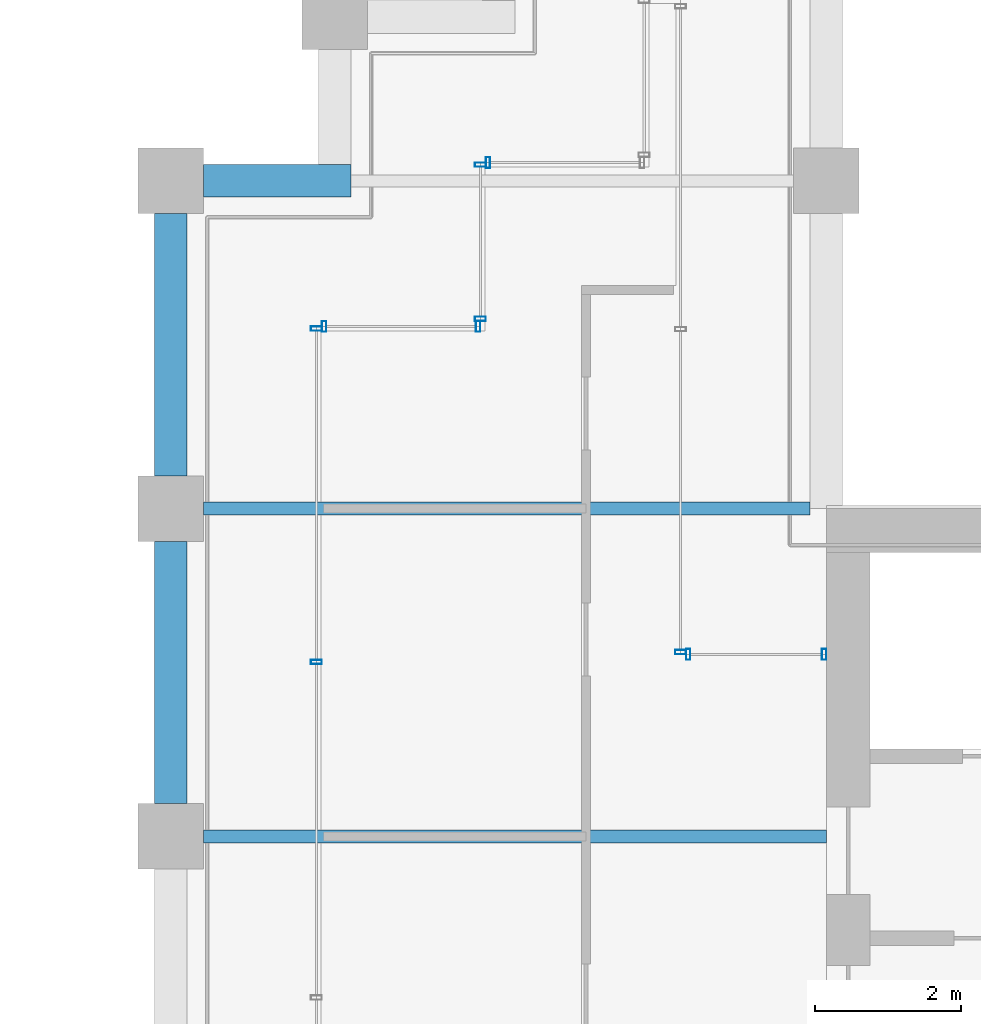
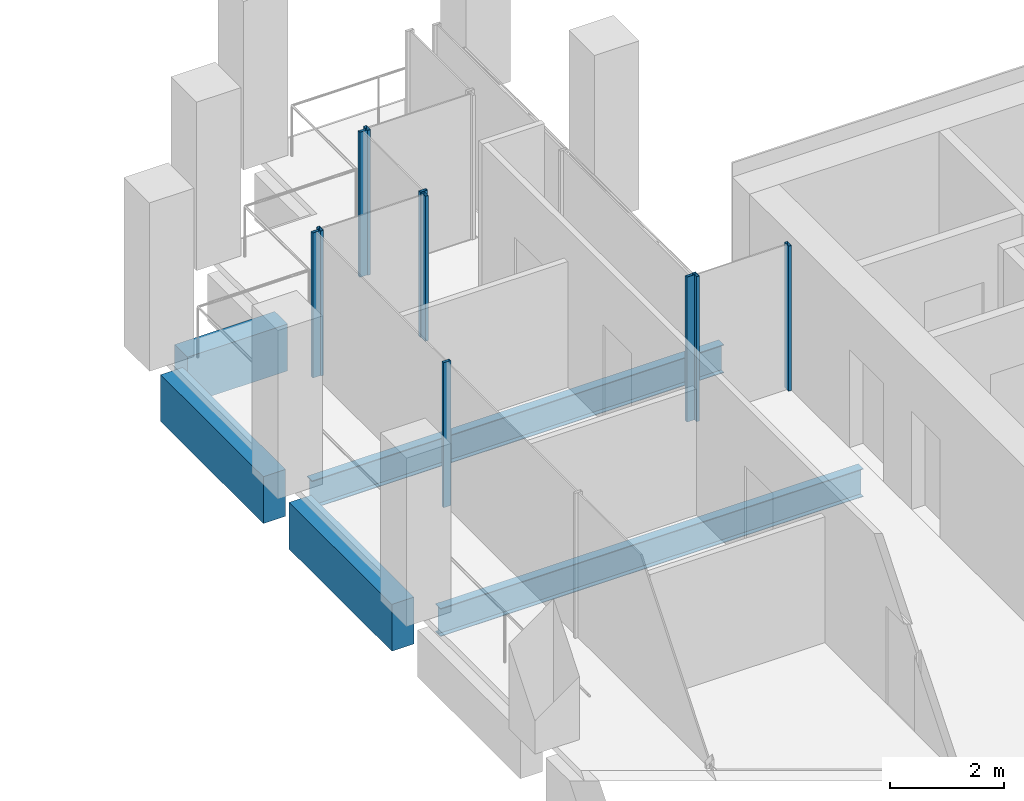
# One storey, part 32 of 40: 10 members, 5 beams, 6 elements without a shape of their own.
"""IFC4 building model written with IfcOpenShell, lengths in metres."""

from ifc_helpers import new_model, si_unit, direction, frame, origin, origin_2d, place, context, subcontext, project, spatial, rectangle, hollow_rectangle, i_section, extrude, material, material_profile, profile_set, type_object, element, aggregate, save


model = new_model("IFC4")

# Units and contexts
model_context = context("Model", 3, precision=1e-05, world=origin(), true_north=direction((0.0, 1.0)))
body_context = subcontext(model_context, "Body", "Model", "MODEL_VIEW")
ifc_project = project(units=[si_unit("LENGTHUNIT", "METRE"), si_unit("AREAUNIT", "SQUARE_METRE"), si_unit("VOLUMEUNIT", "CUBIC_METRE"), si_unit("PLANEANGLEUNIT", "RADIAN"), si_unit("MASSUNIT", "GRAM", prefix="KILO")], contexts=[model_context])

# Site, building, storey
site_placement = place(None, origin())
site = spatial("IfcSite", under=ifc_project, at=site_placement, CompositionType="ELEMENT")
building_placement = place(site_placement, origin())
building = spatial("IfcBuilding", under=site, at=building_placement, Name="Altepetl Exchange Towers", CompositionType="ELEMENT")
storey_placement = place(building_placement, frame((0.0, 0.0, 187.0)))
storey = spatial("IfcBuildingStorey", under=building, at=storey_placement, Name="L47", CompositionType="ELEMENT", Elevation=187.0)

# Beams
ifc_material_1 = material(Name="Steel S355", Category="steel")
ifc_material_profile_1 = material_profile(ifc_material_1, i_section(OverallWidth=0.177978515625, OverallDepth=0.59912109375, WebThickness=0.010009765625, FlangeThickness=0.0126953125, at=origin_2d()), Name="W24X55")
ifc_profile_set_1 = profile_set([ifc_material_profile_1], Name="Steel S355")
beam_type_1 = type_object("IfcBeamType", Name="Floor beam W24X55", PredefinedType="BEAM", material=ifc_profile_set_1)
beam_1_placement = place(storey_placement, frame((94.949951171875, 45.0, -0.449462890625), z_axis=(1.0, 0.0, 0.0), x_axis=(0.0, 1.0, 0.0)))
element("IfcBeam", 1, at=beam_1_placement, inside=storey, type_object=beam_type_1, Name="bm:B:L47:005", PredefinedType="BEAM", context=body_context, shape_type="SweptSolid", body=[
    extrude(i_section(OverallWidth=0.177978515625, OverallDepth=0.59912109375, WebThickness=0.010009765625, FlangeThickness=0.0126953125, at=origin_2d()), origin(), (0.0, 0.0, 1.0), 8.550048828125),
])
beam_2_placement = place(storey_placement, frame((94.949951171875, 49.5, -0.449462890625), z_axis=(1.0, 0.0, 0.0), x_axis=(0.0, 1.0, 0.0)))
element("IfcBeam", 2, at=beam_2_placement, inside=storey, type_object=beam_type_1, Name="bm:B:L47:006", PredefinedType="BEAM", context=body_context, shape_type="SweptSolid", body=[
    extrude(i_section(OverallWidth=0.177978515625, OverallDepth=0.59912109375, WebThickness=0.010009765625, FlangeThickness=0.0126953125, at=origin_2d()), origin(), (0.0, 0.0, 1.0), 8.324951171875),
])

# Curtain wall, members
ifc_material_2 = material(Name="Aluminium 6063-T6 glazing", Category="aluminium")
curtain_wall_type = type_object("IfcCurtainWallType", Name="Loggia glazing system", PredefinedType="NOTDEFINED", material=ifc_material_2)
curtain_wall_1_placement = place(storey_placement, origin())
curtain_wall_1 = element("IfcCurtainWall", 3, at=curtain_wall_1_placement, inside=storey, type_object=curtain_wall_type, Name="CW1 run", PredefinedType="NOTDEFINED")
ifc_material_3 = material(Name="Aluminium 6063-T6", Category="aluminium")
ifc_material_profile_2 = material_profile(ifc_material_3, hollow_rectangle(XDim=0.06005859375, YDim=0.14990234375, WallThickness=0.0029296875, at=origin_2d()), Name="Mullion 60x150 aluminium")
ifc_profile_set_2 = profile_set([ifc_material_profile_2], Name="Aluminium 6063-T6")
member_type = type_object("IfcMemberType", Name="Mullion 60x150 aluminium", PredefinedType="MULLION", material=ifc_profile_set_2)
member_1_placement = place(storey_placement, frame((103.469970703125, 47.5, 0.0), z_axis=(0.0, 0.0, 1.0), x_axis=(-1.0, 0.0, 0.0)))
member_1 = element("IfcMember", 4, at=member_1_placement, type_object=member_type, Name="MU1 mullion", PredefinedType="MULLION", context=body_context, shape_type="SweptSolid", body=[
    extrude(hollow_rectangle(XDim=0.06005859375, YDim=0.14990234375, WallThickness=0.0029296875, at=origin_2d()), origin(), (0.0, 0.0, 1.0), 3.10009765625),
])
member_2_placement = place(storey_placement, frame((101.60498046875, 47.5, 0.0), z_axis=(0.0, 0.0, 1.0), x_axis=(-1.0, 0.0, 0.0)))
member_2 = element("IfcMember", 5, at=member_2_placement, type_object=member_type, Name="MU1 mullion", PredefinedType="MULLION", context=body_context, shape_type="SweptSolid", body=[
    extrude(hollow_rectangle(XDim=0.06005859375, YDim=0.14990234375, WallThickness=0.0029296875, at=origin_2d()), origin(), (0.0, 0.0, 1.0), 3.10009765625),
])
aggregate(curtain_wall_1, [member_1, member_2])

# Curtain wall, member
curtain_wall_2_placement = place(storey_placement, origin())
curtain_wall_2 = element("IfcCurtainWall", 6, at=curtain_wall_2_placement, inside=storey, type_object=curtain_wall_type, Name="CW1 run", PredefinedType="NOTDEFINED")
member_3_placement = place(storey_placement, frame((101.5, 47.530029296875, 0.0), z_axis=(0.0, 0.0, 1.0), x_axis=(0.0, 1.0, 0.0)))
member_3 = element("IfcMember", 7, at=member_3_placement, type_object=member_type, Name="MU1 mullion", PredefinedType="MULLION", context=body_context, shape_type="SweptSolid", body=[
    extrude(hollow_rectangle(XDim=0.06005859375, YDim=0.14990234375, WallThickness=0.0029296875, at=origin_2d()), origin(), (0.0, 0.0, 1.0), 3.10009765625),
])
aggregate(curtain_wall_2, [member_3])

curtain_wall_3_placement = place(storey_placement, origin())
curtain_wall_3 = element("IfcCurtainWall", 8, at=curtain_wall_3_placement, inside=storey, type_object=curtain_wall_type, Name="CW1 run", PredefinedType="NOTDEFINED")
member_4_placement = place(storey_placement, frame((98.85498046875, 54.25, 0.0), z_axis=(0.0, 0.0, 1.0), x_axis=(-1.0, 0.0, 0.0)))
member_4 = element("IfcMember", 9, at=member_4_placement, type_object=member_type, Name="MU1 mullion", PredefinedType="MULLION", context=body_context, shape_type="SweptSolid", body=[
    extrude(hollow_rectangle(XDim=0.06005859375, YDim=0.14990234375, WallThickness=0.0029296875, at=origin_2d()), origin(), (0.0, 0.0, 1.0), 3.10009765625),
])
aggregate(curtain_wall_3, [member_4])

# Curtain wall, members
curtain_wall_4_placement = place(storey_placement, origin())
curtain_wall_4 = element("IfcCurtainWall", 10, at=curtain_wall_4_placement, inside=storey, type_object=curtain_wall_type, Name="CW1 run", PredefinedType="NOTDEFINED")
member_5_placement = place(storey_placement, frame((98.75, 54.219970703125, 0.0), z_axis=(0.0, 0.0, 1.0), x_axis=(0.0, -1.0, 0.0)))
member_5 = element("IfcMember", 11, at=member_5_placement, type_object=member_type, Name="MU1 mullion", PredefinedType="MULLION", context=body_context, shape_type="SweptSolid", body=[
    extrude(hollow_rectangle(XDim=0.06005859375, YDim=0.14990234375, WallThickness=0.0029296875, at=origin_2d()), origin(), (0.0, 0.0, 1.0), 3.10009765625),
])
member_6_placement = place(storey_placement, frame((98.75, 52.10498046875, 0.0), z_axis=(0.0, 0.0, 1.0), x_axis=(0.0, -1.0, 0.0)))
member_6 = element("IfcMember", 12, at=member_6_placement, type_object=member_type, Name="MU1 mullion", PredefinedType="MULLION", context=body_context, shape_type="SweptSolid", body=[
    extrude(hollow_rectangle(XDim=0.06005859375, YDim=0.14990234375, WallThickness=0.0029296875, at=origin_2d()), origin(), (0.0, 0.0, 1.0), 3.10009765625),
])
aggregate(curtain_wall_4, [member_5, member_6])

curtain_wall_5_placement = place(storey_placement, origin())
curtain_wall_5 = element("IfcCurtainWall", 13, at=curtain_wall_5_placement, inside=storey, type_object=curtain_wall_type, Name="CW1 run", PredefinedType="NOTDEFINED")
member_7_placement = place(storey_placement, frame((98.719970703125, 52.0, 0.0), z_axis=(0.0, 0.0, 1.0), x_axis=(-1.0, 0.0, 0.0)))
member_7 = element("IfcMember", 14, at=member_7_placement, type_object=member_type, Name="MU1 mullion", PredefinedType="MULLION", context=body_context, shape_type="SweptSolid", body=[
    extrude(hollow_rectangle(XDim=0.06005859375, YDim=0.14990234375, WallThickness=0.0029296875, at=origin_2d()), origin(), (0.0, 0.0, 1.0), 3.10009765625),
])
member_8_placement = place(storey_placement, frame((96.60498046875, 52.0, 0.0), z_axis=(0.0, 0.0, 1.0), x_axis=(-1.0, 0.0, 0.0)))
member_8 = element("IfcMember", 15, at=member_8_placement, type_object=member_type, Name="MU1 mullion", PredefinedType="MULLION", context=body_context, shape_type="SweptSolid", body=[
    extrude(hollow_rectangle(XDim=0.06005859375, YDim=0.14990234375, WallThickness=0.0029296875, at=origin_2d()), origin(), (0.0, 0.0, 1.0), 3.10009765625),
])
aggregate(curtain_wall_5, [member_7, member_8])

curtain_wall_6_placement = place(storey_placement, origin())
curtain_wall_6 = element("IfcCurtainWall", 16, at=curtain_wall_6_placement, inside=storey, type_object=curtain_wall_type, Name="CW1 run", PredefinedType="NOTDEFINED")
member_9_placement = place(storey_placement, frame((96.5, 51.969970703125, 0.0), z_axis=(0.0, 0.0, 1.0), x_axis=(0.0, -1.0, 0.0)))
member_9 = element("IfcMember", 17, at=member_9_placement, type_object=member_type, Name="MU1 mullion", PredefinedType="MULLION", context=body_context, shape_type="SweptSolid", body=[
    extrude(hollow_rectangle(XDim=0.06005859375, YDim=0.14990234375, WallThickness=0.0029296875, at=origin_2d()), origin(), (0.0, 0.0, 1.0), 3.10009765625),
])
member_10_placement = place(storey_placement, frame((96.5, 47.393798828125, 0.0), z_axis=(0.0, 0.0, 1.0), x_axis=(0.0, -1.0, 0.0)))
member_10 = element("IfcMember", 18, at=member_10_placement, type_object=member_type, Name="MU1 mullion", PredefinedType="MULLION", context=body_context, shape_type="SweptSolid", body=[
    extrude(hollow_rectangle(XDim=0.06005859375, YDim=0.14990234375, WallThickness=0.0029296875, at=origin_2d()), origin(), (0.0, 0.0, 1.0), 3.10009765625),
])
aggregate(curtain_wall_6, [member_9, member_10])

# Beams
ifc_material_4 = material(Name="Concrete C50/60 precast with cantera rosa facing", Category="concrete")
ifc_material_profile_3 = material_profile(ifc_material_4, rectangle(XDim=0.449951171875, YDim=1.0, at=origin_2d()), Name="450 x 1000")
ifc_profile_set_3 = profile_set([ifc_material_profile_3], Name="Concrete C50/60 precast with cantera rosa facing")
beam_type_2 = type_object("IfcBeamType", Name="Spandrel beam 450x1000 cantera rosa", PredefinedType="SPANDREL", material=ifc_profile_set_3)
beam_3_placement = place(storey_placement, frame((96.97509765625, 54.0, -0.64990234375), z_axis=(-1.0, 0.0, 0.0), x_axis=(0.0, -1.0, 0.0)))
element("IfcBeam", 19, at=beam_3_placement, inside=storey, type_object=beam_type_2, Name="sp:B:L47:014", PredefinedType="SPANDREL", context=body_context, shape_type="SweptSolid", body=[
    extrude(rectangle(XDim=0.449951171875, YDim=1.0, at=origin_2d()), origin(), (0.0, 0.0, 1.0), 2.025146484375),
])
for number, where, z_axis, x_axis, name in (
    (20, (94.5, 53.550048828125, -0.64990234375), (0.0, -1.0, 0.0), (1.0, 0.0, 0.0), "sp:B:L47:015"),
    (21, (94.5, 49.050048828125, -0.64990234375), (0.0, -1.0, 0.0), (1.0, 0.0, 0.0), "sp:B:L47:016"),
):
    element("IfcBeam", number, at=place(storey_placement, frame(where, z_axis=z_axis, x_axis=x_axis)), inside=storey, type_object=beam_type_2, Name=name, PredefinedType="SPANDREL", context=body_context, shape_type="SweptSolid", body=[
        extrude(rectangle(XDim=0.449951171875, YDim=1.0, at=origin_2d()), origin(), (0.0, 0.0, 1.0), 3.60009765625),
    ])

save(model, "model.ifc")
